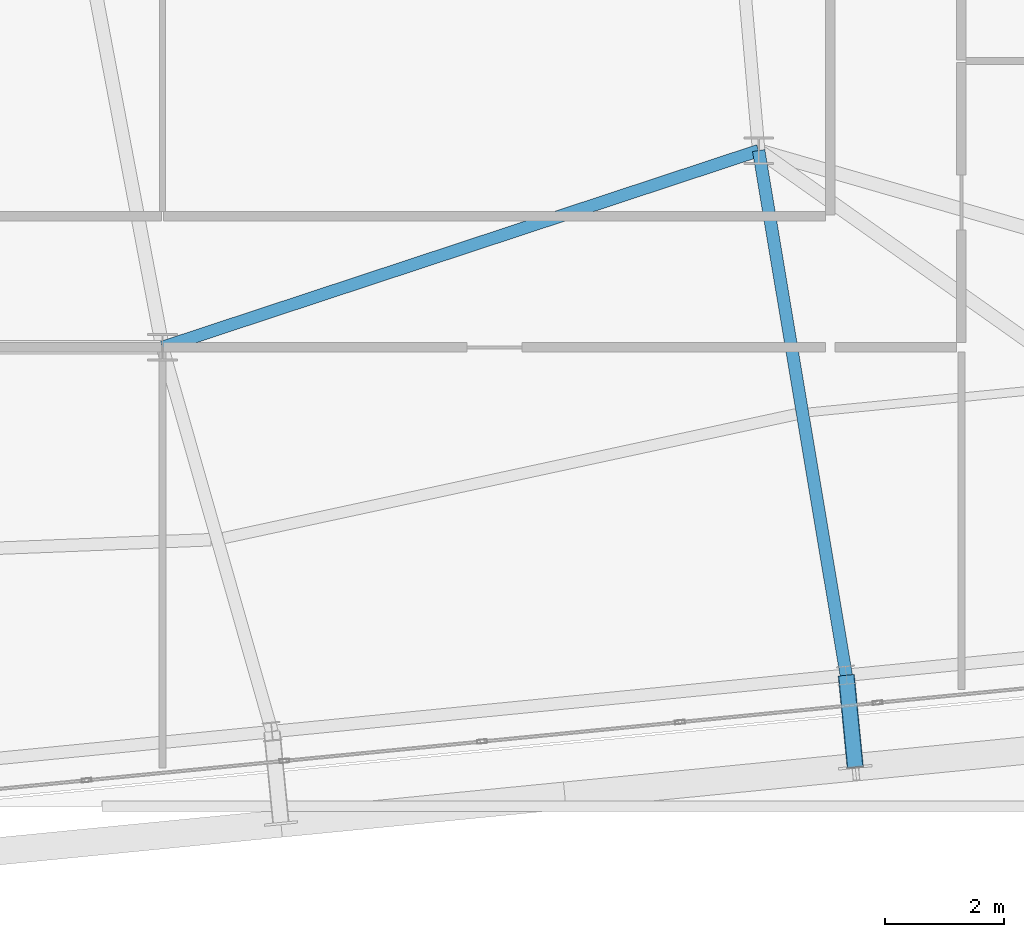
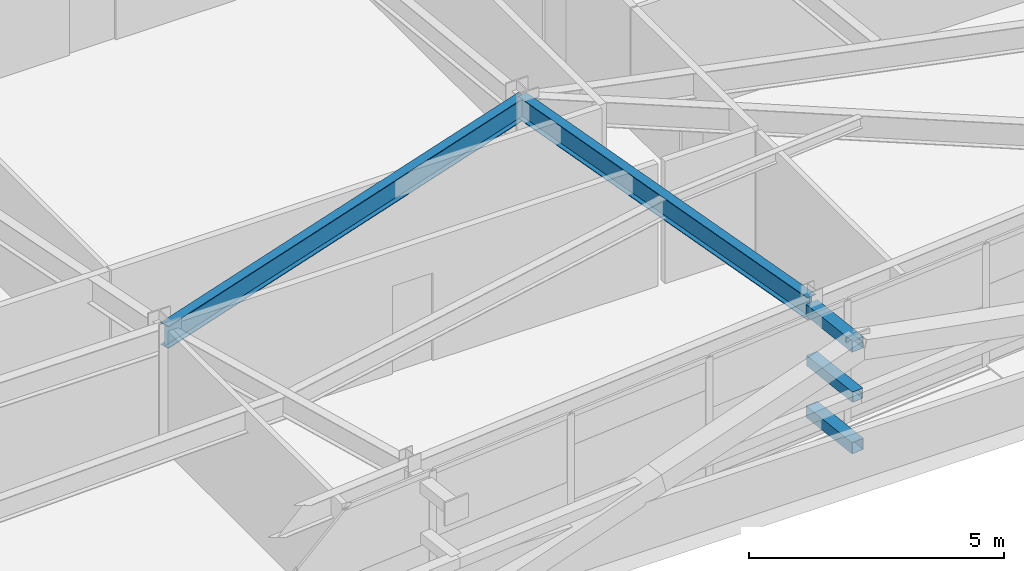
# One storey, part 19 of 51: 3 members, 2 beams.
"""IFC4 building model written with IfcOpenShell, lengths in metres."""

from ifc_helpers import new_model, si_unit, direction, frame, origin, origin_2d, place, context, subcontext, project, spatial, hollow_rectangle, i_section, extrude, source, transform, mapped, material, material_profile, profile_set, type_object, element, save


model = new_model("IFC4")

# Units and contexts
model_context = context("Model", 3, precision=1e-05, world=origin(), true_north=direction((0.0, 1.0)))
body_context = subcontext(model_context, "Body", "Model", "MODEL_VIEW")
ifc_project = project(units=[si_unit("LENGTHUNIT", "METRE"), si_unit("AREAUNIT", "SQUARE_METRE"), si_unit("VOLUMEUNIT", "CUBIC_METRE"), si_unit("PLANEANGLEUNIT", "RADIAN"), si_unit("MASSUNIT", "GRAM", prefix="KILO")], contexts=[model_context])

# Site, building, storey
site_placement = place(None, origin())
site = spatial("IfcSite", under=ifc_project, at=site_placement, CompositionType="ELEMENT")
building_placement = place(site_placement, origin())
building = spatial("IfcBuilding", under=site, at=building_placement, Name="Taldren Reach Tower", CompositionType="ELEMENT")
storey_placement = place(building_placement, frame((0.0, 0.0, 65.10009765625)))
storey = spatial("IfcBuildingStorey", under=building, at=storey_placement, Name="L19", CompositionType="ELEMENT", Elevation=65.10009765625)

# Beam
ifc_material_1 = material(Name="Steel Gr 350 (350PLUS)", Category="steel")
ifc_material_profile_1 = material_profile(ifc_material_1, i_section(OverallWidth=0.208984375, OverallDepth=0.532958984375, WebThickness=0.01025390625, FlangeThickness=0.015625, at=origin_2d()), Name="530UB92.4")
ifc_profile_set_1 = profile_set([ifc_material_profile_1], Name="Steel Gr 350 (350PLUS)")
beam_type = type_object("IfcBeamType", Name="BM-UB530A", PredefinedType="BEAM", material=ifc_profile_set_1)
shared_shape_1 = source(origin(), body_context, "Body", "SweptSolid", [
    extrude(i_section(OverallWidth=0.208984375, OverallDepth=0.532958984375, WebThickness=0.01025390625, FlangeThickness=0.015625, at=origin_2d()), origin(), (0.0, 0.0, 1.0), 10.530517578125),
])
beam_1_placement = place(storey_placement, frame((42.0, 9.199951171875, 2.663330078125), z_axis=(0.949627269203, 0.313381635689, 0.0), x_axis=(-0.313381635689, 0.949627269203, 0.0)))
element("IfcBeam", 1, at=beam_1_placement, inside=storey, type_object=beam_type, Name="Core-spine girder L19-SP12", PredefinedType="BEAM", context=body_context, shape_type="MappedRepresentation", body=[
    mapped(shared_shape_1, transform((0.0, 0.0, 0.0), scale=1.0)),
])

# Members
ifc_material_2 = material(Name="Steel Gr 450 (C450L0)", Category="steel")
ifc_material_profile_2 = material_profile(ifc_material_2, hollow_rectangle(XDim=0.27490234375, YDim=0.27490234375, WallThickness=0.00927734375, at=origin_2d()), Name="275x275x9.3SHS")
ifc_profile_set_2 = profile_set([ifc_material_profile_2], Name="Steel Gr 450 (C450L0)")
member_type_1 = type_object("IfcMemberType", Name="MB-TIE273", PredefinedType="STRUT", material=ifc_profile_set_2)
shared_shape_2 = source(origin(), body_context, "Body", "SweptSolid", [
    extrude(hollow_rectangle(XDim=0.27490234375, YDim=0.27490234375, WallThickness=0.00927734375, at=origin_2d()), origin(), (0.0, 0.0, 1.0), 1.5498046875),
])
for number, where, z_axis, x_axis, name in (
    (2, (53.469482421875, 3.698486328125, 2.64990234375), (0.097507178627, -0.995234821595, 0.0), (0.995234821595, 0.097507178627, 0.0), "Exoskeleton diaphragm tie strut B2-S5 L19"),
    (3, (53.469482421875, 3.698486328125, 0.219970703125), (0.097507178627, -0.995234821595, 0.0), (0.995234821595, 0.097507178627, 0.0), "Exoskeleton base diaphragm tie strut B2-S5 L19"),
):
    element("IfcMember", number, at=place(storey_placement, frame(where, z_axis=z_axis, x_axis=x_axis)), inside=storey, type_object=member_type_1, Name=name, PredefinedType="STRUT", context=body_context, shape_type="MappedRepresentation", body=[
        mapped(shared_shape_2, transform((0.0, 0.0, 0.0), scale=1.0)),
    ])
ifc_material_3 = material(Name="Steel Gr 350 (C350L0)", Category="steel")
ifc_material_profile_3 = material_profile(ifc_material_3, hollow_rectangle(XDim=0.25, YDim=0.25, WallThickness=0.010009765625, at=origin_2d()), Name="250x250x10.0SHS")
ifc_profile_set_3 = profile_set([ifc_material_profile_3], Name="Steel Gr 350 (C350L0)")
member_type_2 = type_object("IfcMemberType", Name="MB-POST250", PredefinedType="POST", material=ifc_profile_set_3)
shared_shape_3 = source(origin(), body_context, "Body", "SweptSolid", [
    extrude(hollow_rectangle(XDim=0.25, YDim=0.25, WallThickness=0.010009765625, at=origin_2d()), origin(), (0.0, 0.0, 1.0), 1.5498046875),
])
member_placement = place(storey_placement, frame((53.469482421875, 3.698486328125, 1.434814453125), z_axis=(0.097507178627, -0.995234821595, 0.0), x_axis=(0.995234821595, 0.097507178627, 0.0)))
element("IfcMember", 4, at=member_placement, inside=storey, type_object=member_type_2, Name="Exoskeleton mid-tier diaphragm tie B2-S5 L19", PredefinedType="POST", context=body_context, shape_type="MappedRepresentation", body=[
    mapped(shared_shape_3, transform((0.0, 0.0, 0.0), scale=1.0)),
])

# Beam
shared_shape_4 = source(origin(), body_context, "Body", "SweptSolid", [
    extrude(i_section(OverallWidth=0.208984375, OverallDepth=0.532958984375, WebThickness=0.01025390625, FlangeThickness=0.015625, at=origin_2d()), origin(), (0.0, 0.0, 1.0), 8.92333984375),
])
beam_2_placement = place(storey_placement, frame((52.0, 12.5, 2.663330078125), z_axis=(0.164678494096, -0.986347298664, 0.0), x_axis=(0.986347298664, 0.164678494096, 0.0)))
element("IfcBeam", 5, at=beam_2_placement, inside=storey, type_object=beam_type, Name="Primary floor girder B2-S5 L19", PredefinedType="BEAM", context=body_context, shape_type="MappedRepresentation", body=[
    mapped(shared_shape_4, transform((0.0, 0.0, 0.0), scale=1.0)),
])

save(model, "model.ifc")
